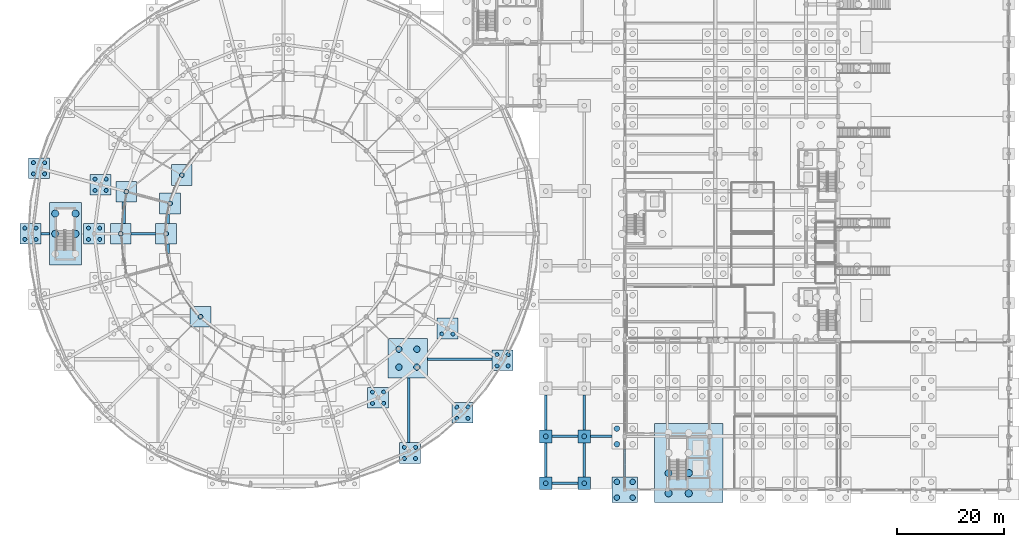
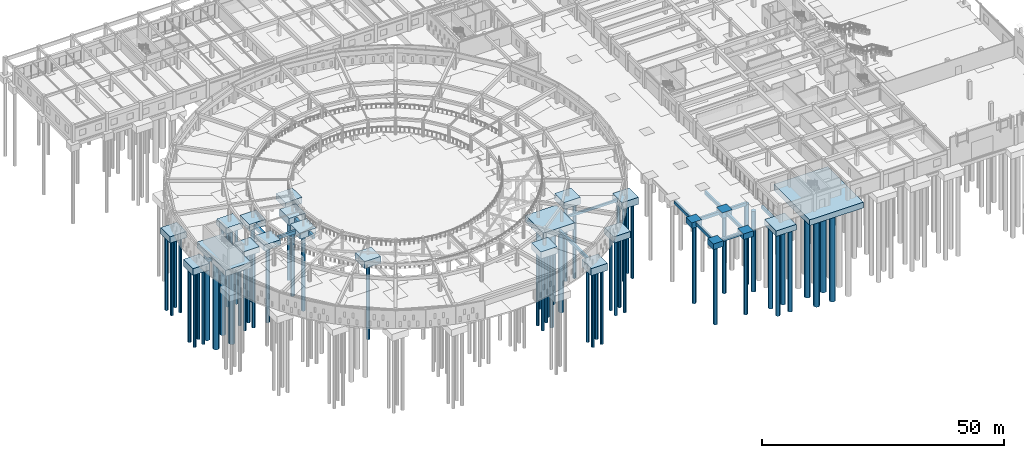
# One storey, part 2 of 84: 62 piles, 38 footings.
"""IFC4 building model written with IfcOpenShell, lengths in metres."""

import ifcopenshell
import ifcopenshell.guid

model = None  # the IFC model being written
_history = None  # IfcOwnerHistory: only IFC2X3 demands one
_inside = {}  # id of a spatial element -> (the spatial element, [elements in it])
_under = {}  # id of a project, library or spatial element -> (it, [spatial elements below it])
_declared = {}  # id of a project -> (the project, [libraries it declares])
_typed = {}  # id of a type object -> (the type object, [elements of that type])
_made_of = {}  # id of a material, layer set ... -> (it, [elements and type objects made of it])


def new_model(schema):
    """Start an empty IFC model of exactly this schema.

    Asked for "IFC4X3", IfcOpenShell would pick the latest addendum, in which some entities
    have other attributes; the version numbers below select the first issue.
    IFC2X3 requires an IfcOwnerHistory on every rooted entity: one is made here for all.
    """
    global model, _history
    if schema == "IFC4X3":
        model = ifcopenshell.file(schema_version=(4, 3, 0, 0))
    else:
        model = ifcopenshell.file(schema=schema)
    _inside.clear()
    _under.clear()
    _declared.clear()
    _typed.clear()
    _made_of.clear()
    _history = None
    if model.schema == "IFC2X3":
        org = make("IfcOrganization", Name="unknown")
        user = make(
            "IfcPersonAndOrganization",
            ThePerson=make("IfcPerson", FamilyName="unknown"),
            TheOrganization=org,
        )
        app = make(
            "IfcApplication",
            ApplicationDeveloper=org,
            Version="unknown",
            ApplicationFullName="unknown",
            ApplicationIdentifier="unknown",
        )
        _history = make(
            "IfcOwnerHistory",
            OwningUser=user,
            OwningApplication=app,
            ChangeAction="ADDED",
            CreationDate=0,
        )
    return model


def make(cls, **values):
    """One entity of the class cls with the attributes given. An attribute that is None is left unset."""
    return model.create_entity(
        cls, **{name: value for name, value in values.items() if value is not None}
    )


def rooted(cls, **values):
    """An entity with a GlobalId (a new one), such as an element, a storey or a relation."""
    return make(cls, GlobalId=ifcopenshell.guid.new(), OwnerHistory=_history, **values)


def si_unit(unit_type, name, prefix=None):
    """IfcSIUnit, for example si_unit("LENGTHUNIT", "METRE", prefix="MILLI")."""
    return make("IfcSIUnit", UnitType=unit_type, Prefix=prefix, Name=name)


def assignment(units):
    """IfcUnitAssignment: the units of a project."""
    return None if units is None else make("IfcUnitAssignment", Units=units)


def point(xyz):
    """IfcCartesianPoint."""
    return None if xyz is None else make("IfcCartesianPoint", Coordinates=xyz)


def direction(xyz):
    """IfcDirection."""
    return None if xyz is None else make("IfcDirection", DirectionRatios=xyz)


def frame(location, z_axis=None, x_axis=None):
    """IfcAxis2Placement3D, a coordinate frame: its origin and axes. An axis left out is left unset."""
    return make(
        "IfcAxis2Placement3D",
        Location=point(location),
        Axis=direction(z_axis),
        RefDirection=direction(x_axis),
    )


def frame_2d(location, x_axis=None):
    """IfcAxis2Placement2D, a coordinate frame in the plane: its origin and x axis."""
    return make(
        "IfcAxis2Placement2D", Location=point(location), RefDirection=direction(x_axis)
    )


def origin():
    """The frame at (0, 0, 0) with its axes left unset."""
    return frame((0.0, 0.0, 0.0))


def origin_2d():
    """The frame at (0, 0) in the plane with its x axis left unset."""
    return frame_2d((0.0, 0.0))


def place(relative_to, where):
    """IfcLocalPlacement: puts the frame where relative to a parent placement (None: the world)."""
    return make(
        "IfcLocalPlacement", PlacementRelTo=relative_to, RelativePlacement=where
    )


def context(
    kind, dimensions, precision=None, world=None, true_north=None, identifier=None
):
    """IfcGeometricRepresentationContext, for example the 3D "Model" context."""
    return make(
        "IfcGeometricRepresentationContext",
        ContextIdentifier=identifier,
        ContextType=kind,
        CoordinateSpaceDimension=dimensions,
        Precision=precision,
        WorldCoordinateSystem=world,
        TrueNorth=true_north,
    )


def subcontext(parent, identifier, kind, view, scale=None):
    """IfcGeometricRepresentationSubContext, for example "Body" below "Model"."""
    return make(
        "IfcGeometricRepresentationSubContext",
        ContextIdentifier=identifier,
        ContextType=kind,
        ParentContext=parent,
        TargetScale=scale,
        TargetView=view,
    )


def project(units=None, contexts=None):
    """IfcProject with its units and contexts."""
    return rooted(
        "IfcProject",
        Name="project",
        RepresentationContexts=contexts,
        UnitsInContext=assignment(units),
    )


def spatial(cls, under=None, at=None, **own):
    """A site, building, storey or space (cls), placed at a placement, below another one or the project."""
    s = rooted(cls, ObjectPlacement=at, **own)
    if under is not None:
        _under.setdefault(under.id(), (under, []))[1].append(s)
    return s


def profile(cls, at=None, kind="AREA", **sizes):
    """A parametric profile (cls). Its sizes go by their IFC names, for example OverallWidth=200.0."""
    return make(cls, ProfileType=kind, Position=at, **sizes)


def rectangle(**sizes):
    """IfcRectangleProfileDef."""
    return profile("IfcRectangleProfileDef", **sizes)


def circle(**sizes):
    """IfcCircleProfileDef."""
    return profile("IfcCircleProfileDef", **sizes)


def extrude(swept, where, along, depth):
    """IfcExtrudedAreaSolid: the profile swept, set in the frame where, extruded along a direction by depth."""
    return make(
        "IfcExtrudedAreaSolid",
        SweptArea=swept,
        Position=where,
        ExtrudedDirection=direction(along),
        Depth=depth,
    )


def shape(context_of_items, identifier, shape_type, items):
    """IfcShapeRepresentation: the items that make up one representation, for example the "Body"."""
    return make(
        "IfcShapeRepresentation",
        ContextOfItems=context_of_items,
        RepresentationIdentifier=identifier,
        RepresentationType=shape_type,
        Items=items,
    )


def material(Name=None, Category=None):
    """IfcMaterial."""
    return make("IfcMaterial", Name=Name, Category=Category)


def material_profile(
    of_material, cross_section, Name=None, Category=None, Priority=None
):
    """IfcMaterialProfile: a cross section and its material."""
    return make(
        "IfcMaterialProfile",
        Name=Name,
        Material=of_material,
        Profile=cross_section,
        Priority=Priority,
        Category=Category,
    )


def profile_set(profiles, Name=None, composite=None):
    """IfcMaterialProfileSet."""
    return make(
        "IfcMaterialProfileSet",
        Name=Name,
        MaterialProfiles=profiles,
        CompositeProfile=composite,
    )


def made_of(thing, what):
    """Note that an element or type object is made of a material, layer set ...; save() writes the relation."""
    if what is not None:
        _made_of.setdefault(what.id(), (what, []))[1].append(thing)
    return thing


def type_object(cls, material=None, **own):
    """A type object (cls), such as IfcWallType, which elements share."""
    return made_of(rooted(cls, **own), material)


def element(
    cls,
    number,
    at=None,
    inside=None,
    cuts=None,
    type_object=None,
    material=None,
    context=None,
    identifier="Body",
    shape_type=None,
    held_by="IfcProductDefinitionShape",
    body=None,
    shapes=None,
    **own,
):
    """One element of the class cls, such as IfcWall. Its Tag is "e" and its number.

    at: its placement. inside: the storey or other place that contains it. cuts: it is an
    opening in that element (IfcRelVoidsElement). A single representation is given by context,
    identifier, shape_type and body (its items); several are given by shapes. held_by: the class
    of the entity that holds the representations. save() writes the other relations.
    """
    e = rooted(cls, Tag="e%d" % number, ObjectPlacement=at, **own)
    if body is not None:
        shapes = [shape(context, identifier, shape_type, body)]
    if shapes is not None:
        e.Representation = make(held_by, Representations=shapes)
    if inside is not None:
        _inside.setdefault(inside.id(), (inside, []))[1].append(e)
    if cuts is not None:
        rooted(
            "IfcRelVoidsElement", RelatingBuildingElement=cuts, RelatedOpeningElement=e
        )
    if type_object is not None:
        _typed.setdefault(type_object.id(), (type_object, []))[1].append(e)
    return made_of(e, material)


def aggregate(whole, parts):
    """IfcRelAggregates: a whole, such as a stair, and the parts it consists of."""
    return rooted("IfcRelAggregates", RelatingObject=whole, RelatedObjects=parts)


def save(model, path):
    """Write the relations noted so far, then the file.

    IfcRelAggregates (storeys below a building ...), IfcRelContainedInSpatialStructure (elements
    in a storey), IfcRelDefinesByType, IfcRelAssociatesMaterial and IfcRelDeclares: one each for
    every whole, place, type object, material and project.
    """
    for whole, parts in _under.values():
        aggregate(whole, parts)
    for where, things in _inside.values():
        rooted(
            "IfcRelContainedInSpatialStructure",
            RelatedElements=things,
            RelatingStructure=where,
        )
    for kind, things in _typed.values():
        rooted("IfcRelDefinesByType", RelatedObjects=things, RelatingType=kind)
    for what, things in _made_of.values():
        rooted("IfcRelAssociatesMaterial", RelatedObjects=things, RelatingMaterial=what)
    for by, libraries in _declared.values():
        rooted("IfcRelDeclares", RelatingContext=by, RelatedDefinitions=libraries)
    model.write(path)


model = new_model("IFC4")

# Units and contexts
model_context = context("Model", 3, precision=1e-05, world=origin(), true_north=direction((0.0, 1.0)))
body_context = subcontext(model_context, "Body", "Model", "MODEL_VIEW")
ifc_project = project(units=[si_unit("LENGTHUNIT", "METRE"), si_unit("AREAUNIT", "SQUARE_METRE"), si_unit("VOLUMEUNIT", "CUBIC_METRE"), si_unit("PLANEANGLEUNIT", "RADIAN"), si_unit("MASSUNIT", "GRAM", prefix="KILO")], contexts=[model_context])

# Site, building, storey
site_placement = place(None, origin())
site = spatial("IfcSite", under=ifc_project, at=site_placement, CompositionType="ELEMENT")
building_placement = place(site_placement, origin())
building = spatial("IfcBuilding", under=site, at=building_placement, Name="Larkveld Mobility Hub", CompositionType="ELEMENT")
storey_placement = place(building_placement, origin())
storey = spatial("IfcBuildingStorey", under=building, at=storey_placement, Name="L00", CompositionType="ELEMENT", Elevation=0.0)

# Footings
ifc_material = material(Name="Concrete C35/45", Category="concrete")
ifc_material_profile_1 = material_profile(ifc_material, rectangle(XDim=0.39990234375, YDim=0.60009765625, at=origin_2d()), Name="RC BM 400x600")
ifc_profile_set_1 = profile_set([ifc_material_profile_1], Name="Concrete C35/45")
footing_type_1 = type_object("IfcFootingType", Name="FT-FB01", PredefinedType="FOOTING_BEAM", material=ifc_profile_set_1)
footing_1_placement = place(storey_placement, frame((75.052001953125, 24.470947265625, -0.64990234375), z_axis=(1.0, 0.0, 0.0), x_axis=(0.0, 1.0, 0.0)))
element("IfcFooting", 1, at=footing_1_placement, inside=storey, type_object=footing_type_1, Name="Ground Tie Beam GB-019", PredefinedType="FOOTING_BEAM", context=body_context, shape_type="SweptSolid", body=[
    extrude(rectangle(XDim=0.39990234375, YDim=0.60009765625, at=origin_2d()), origin(), (0.0, 0.0, 1.0), 12.091064453125),
])
ifc_material_profile_2 = material_profile(ifc_material, rectangle(XDim=0.449951171875, YDim=0.699951171875, at=origin_2d()), Name="RC BM 450x700")
ifc_profile_set_2 = profile_set([ifc_material_profile_2], Name="Concrete C35/45")
footing_type_2 = type_object("IfcFootingType", Name="FT-FB02", PredefinedType="FOOTING_BEAM", material=ifc_profile_set_2)
footing_2_placement = place(storey_placement, frame((2.5, 48.0, -0.699951171875), z_axis=(1.0, 0.0, 0.0), x_axis=(0.0, 1.0, 0.0)))
element("IfcFooting", 2, at=footing_2_placement, inside=storey, type_object=footing_type_2, Name="Ground Tie Beam GB-032", PredefinedType="FOOTING_BEAM", context=body_context, shape_type="SweptSolid", body=[
    extrude(rectangle(XDim=0.449951171875, YDim=0.699951171875, at=origin_2d()), origin(), (0.0, 0.0, 1.0), 1.60009765625),
])
footing_3_placement = place(storey_placement, frame((71.529052734375, 8.85693359375, -0.699951171875), z_axis=(0.0, 1.0, 0.0), x_axis=(-1.0, 0.0, 0.0)))
element("IfcFooting", 3, at=footing_3_placement, inside=storey, type_object=footing_type_2, Name="Ground Tie Beam GB-128", PredefinedType="FOOTING_BEAM", context=body_context, shape_type="SweptSolid", body=[
    extrude(rectangle(XDim=0.449951171875, YDim=0.699951171875, at=origin_2d()), origin(), (0.0, 0.0, 1.0), 12.091064453125),
])
footing_4_placement = place(storey_placement, frame((112.0, 2.39990234375, -0.699951171875), z_axis=(0.0, 1.0, 0.0), x_axis=(-1.0, 0.0, 0.0)))
element("IfcFooting", 4, at=footing_4_placement, inside=storey, type_object=footing_type_2, Name="Ground Tie Beam GB-140", PredefinedType="FOOTING_BEAM", context=body_context, shape_type="SweptSolid", body=[
    extrude(rectangle(XDim=0.449951171875, YDim=0.699951171875, at=origin_2d()), origin(), (0.0, 0.0, 1.0), 5.2001953125),
])
ifc_material_profile_3 = material_profile(ifc_material, rectangle(XDim=0.5, YDim=0.800048828125, at=origin_2d()), Name="RC BM 500x800")
ifc_profile_set_3 = profile_set([ifc_material_profile_3], Name="Concrete C35/45")
footing_type_3 = type_object("IfcFootingType", Name="FT-FB03", PredefinedType="FOOTING_BEAM", material=ifc_profile_set_3)
footing_5_placement = place(storey_placement, frame((19.449951171875, 48.0, -0.75), z_axis=(1.0, 0.0, 0.0), x_axis=(0.0, 1.0, 0.0)))
element("IfcFooting", 5, at=footing_5_placement, inside=storey, type_object=footing_type_3, Name="Ground Tie Beam GB-033", PredefinedType="FOOTING_BEAM", context=body_context, shape_type="SweptSolid", body=[
    extrude(rectangle(XDim=0.5, YDim=0.800048828125, at=origin_2d()), origin(), (0.0, 0.0, 1.0), 4.60009765625),
])
for number, where, z_axis, x_axis, name in (
    (6, (98.39990234375, 1.199951171875, -0.580078125), (1.0, 0.0, 0.0), (0.0, 1.0, 0.0), "Passage Ground Tie Beam PGB-001"),
    (7, (98.39990234375, 10.0, -0.580078125), (1.0, 0.0, 0.0), (0.0, 1.0, 0.0), "Passage Ground Tie Beam PGB-002"),
):
    element("IfcFooting", number, at=place(storey_placement, frame(where, z_axis=z_axis, x_axis=x_axis)), inside=storey, type_object=footing_type_3, Name=name, PredefinedType="FOOTING_BEAM", context=body_context, shape_type="SweptSolid", body=[
        extrude(rectangle(XDim=0.5, YDim=0.800048828125, at=origin_2d()), origin(), (0.0, 0.0, 1.0), 4.800048828125),
    ])
footing_6_placement = place(storey_placement, frame((105.60009765625, 10.0, -0.580078125), z_axis=(1.0, 0.0, 0.0), x_axis=(0.0, 1.0, 0.0)))
element("IfcFooting", 8, at=footing_6_placement, inside=storey, type_object=footing_type_3, Name="Passage Ground Tie Beam PGB-003", PredefinedType="FOOTING_BEAM", context=body_context, shape_type="SweptSolid", body=[
    extrude(rectangle(XDim=0.5, YDim=0.800048828125, at=origin_2d()), origin(), (0.0, 0.0, 1.0), 4.0),
])
footing_7_placement = place(storey_placement, frame((97.199951171875, 2.39990234375, -0.580078125), z_axis=(0.0, 1.0, 0.0), x_axis=(-1.0, 0.0, 0.0)))
element("IfcFooting", 9, at=footing_7_placement, inside=storey, type_object=footing_type_3, Name="Passage Ground Tie Beam PGB-020", PredefinedType="FOOTING_BEAM", context=body_context, shape_type="SweptSolid", body=[
    extrude(rectangle(XDim=0.5, YDim=0.800048828125, at=origin_2d()), origin(), (0.0, 0.0, 1.0), 6.400146484375),
])
footing_8_placement = place(storey_placement, frame((97.199951171875, 11.199951171875, -0.580078125), z_axis=(0.0, 1.0, 0.0), x_axis=(-1.0, 0.0, 0.0)))
element("IfcFooting", 10, at=footing_8_placement, inside=storey, type_object=footing_type_3, Name="Passage Ground Tie Beam PGB-021", PredefinedType="FOOTING_BEAM", context=body_context, shape_type="SweptSolid", body=[
    extrude(rectangle(XDim=0.5, YDim=0.800048828125, at=origin_2d()), origin(), (0.0, 0.0, 1.0), 6.60009765625),
])
footing_9_placement = place(storey_placement, frame((104.39990234375, 2.39990234375, -0.580078125), z_axis=(0.0, 1.0, 0.0), x_axis=(-1.0, 0.0, 0.0)))
element("IfcFooting", 11, at=footing_9_placement, inside=storey, type_object=footing_type_3, Name="Passage Ground Tie Beam PGB-023", PredefinedType="FOOTING_BEAM", context=body_context, shape_type="SweptSolid", body=[
    extrude(rectangle(XDim=0.5, YDim=0.800048828125, at=origin_2d()), origin(), (0.0, 0.0, 1.0), 6.400146484375),
])
footing_10_placement = place(storey_placement, frame((104.39990234375, 11.199951171875, -0.580078125), z_axis=(0.0, 1.0, 0.0), x_axis=(-1.0, 0.0, 0.0)))
element("IfcFooting", 12, at=footing_10_placement, inside=storey, type_object=footing_type_3, Name="Passage Ground Tie Beam PGB-024", PredefinedType="FOOTING_BEAM", context=body_context, shape_type="SweptSolid", body=[
    extrude(rectangle(XDim=0.5, YDim=0.800048828125, at=origin_2d()), origin(), (0.0, 0.0, 1.0), 6.60009765625),
])
ifc_material_profile_4 = material_profile(ifc_material, rectangle(XDim=0.550048828125, YDim=0.85009765625, at=origin_2d()), Name="RC BM 550x850")
ifc_profile_set_4 = profile_set([ifc_material_profile_4], Name="Concrete C35/45")
footing_type_4 = type_object("IfcFootingType", Name="FT-FB04", PredefinedType="FOOTING_BEAM", material=ifc_profile_set_4)
footing_11_placement = place(storey_placement, frame((26.375, 44.256103515625, -0.77490234375), z_axis=(0.0, 1.0, 0.0), x_axis=(-1.0, 0.0, 0.0)))
element("IfcFooting", 13, at=footing_11_placement, inside=storey, type_object=footing_type_4, Name="Ground Tie Beam GB-112", PredefinedType="FOOTING_BEAM", context=body_context, shape_type="SweptSolid", body=[
    extrude(rectangle(XDim=0.550048828125, YDim=0.85009765625, at=origin_2d()), origin(), (0.0, 0.0, 1.0), 1.7939453125),
])
ifc_material_profile_5 = material_profile(ifc_material, rectangle(XDim=0.60009765625, YDim=0.89990234375, at=origin_2d()), Name="RC BM 600x900")
ifc_profile_set_5 = profile_set([ifc_material_profile_5], Name="Concrete C35/45")
footing_type_5 = type_object("IfcFootingType", Name="FT-FB05", PredefinedType="FOOTING_BEAM", material=ifc_profile_set_5)
footing_12_placement = place(storey_placement, frame((26.375, 49.949951171875, -0.800048828125), z_axis=(0.0, 1.0, 0.0), x_axis=(-1.0, 0.0, 0.0)))
element("IfcFooting", 14, at=footing_12_placement, inside=storey, type_object=footing_type_5, Name="Ground Tie Beam GB-113", PredefinedType="FOOTING_BEAM", context=body_context, shape_type="SweptSolid", body=[
    extrude(rectangle(XDim=0.60009765625, YDim=0.89990234375, at=origin_2d()), origin(), (0.0, 0.0, 1.0), 1.7939453125),
])
ifc_material_profile_6 = material_profile(ifc_material, rectangle(XDim=0.64990234375, YDim=1.0, at=origin_2d()), Name="RC BM 650x1000")
ifc_profile_set_6 = profile_set([ifc_material_profile_6], Name="Concrete C35/45")
footing_type_6 = type_object("IfcFootingType", Name="FT-FB06", PredefinedType="FOOTING_BEAM", material=ifc_profile_set_6)
footing_13_placement = place(storey_placement, frame((18.02001953125, 49.949951171875, -0.85009765625), z_axis=(0.0, 1.0, 0.0), x_axis=(-1.0, 0.0, 0.0)))
element("IfcFooting", 15, at=footing_13_placement, inside=storey, type_object=footing_type_6, Name="Ground Tie Beam GB-108", PredefinedType="FOOTING_BEAM", context=body_context, shape_type="SweptSolid", body=[
    extrude(rectangle(XDim=0.64990234375, YDim=1.0, at=origin_2d()), origin(), (0.0, 0.0, 1.0), 3.994140625),
])
footing_type_7 = type_object("IfcFootingType", Name="FT-PC01", PredefinedType="PILE_CAP", material=ifc_material)
footing_14_placement = place(storey_placement, frame((112.0, 0.0, -1.39990234375), z_axis=(0.0, 0.0, 1.0), x_axis=(1.0, 0.0, 0.0)))
element("IfcFooting", 16, at=footing_14_placement, inside=storey, type_object=footing_type_7, Name="Pile Cap PC-001", PredefinedType="PILE_CAP", context=body_context, shape_type="SweptSolid", body=[
    extrude(rectangle(XDim=4.800048828125, YDim=4.800048828125, at=origin_2d()), origin(), (0.0, 0.0, 1.0), 1.39990234375),
])
footing_15_placement = place(storey_placement, frame((12.5, 48.0, -1.39990234375), z_axis=(0.0, 0.0, 1.0), x_axis=(1.0, 0.0, 0.0)))
element("IfcFooting", 17, at=footing_15_placement, inside=storey, type_object=footing_type_7, Name="Pile Cap PC-081", PredefinedType="PILE_CAP", context=body_context, shape_type="SweptSolid", body=[
    extrude(rectangle(XDim=3.89990234375, YDim=3.89990234375, at=origin_2d()), origin(), (0.0, 0.0, 1.0), 1.39990234375),
])
footing_type_8 = type_object("IfcFootingType", Name="FT-PC02", PredefinedType="PILE_CAP", material=ifc_material)
footing_16_placement = place(storey_placement, frame((124.0, 5.0, -1.4501953125), z_axis=(0.0, 0.0, 1.0), x_axis=(1.0, 0.0, 0.0)))
element("IfcFooting", 18, at=footing_16_placement, inside=storey, type_object=footing_type_8, Name="Pile Cap PC-002", PredefinedType="PILE_CAP", context=body_context, shape_type="SweptSolid", body=[
    extrude(rectangle(XDim=12.800048828125, YDim=14.800048828125, at=origin_2d()), origin(), (0.0, 0.0, 1.0), 1.449951171875),
])
for number, where, z_axis, x_axis, name in (
    (19, (17.5, 48.0, -1.4501953125), (0.0, 0.0, 1.0), (1.0, 0.0, 0.0), "Pile Cap PC-082"),
    (20, (13.7099609375, 57.18798828125, -1.4501953125), (0.0, 0.0, 1.0), (1.0, 0.0, 0.0), "Pile Cap PC-098"),
):
    element("IfcFooting", number, at=place(storey_placement, frame(where, z_axis=z_axis, x_axis=x_axis)), inside=storey, type_object=footing_type_8, Name=name, PredefinedType="PILE_CAP", context=body_context, shape_type="SweptSolid", body=[
        extrude(rectangle(XDim=3.89990234375, YDim=3.89990234375, at=origin_2d()), origin(), (0.0, 0.0, 1.0), 1.449951171875),
    ])
footing_type_9 = type_object("IfcFootingType", Name="FT-PC03", PredefinedType="PILE_CAP", material=ifc_material)
footing_17_placement = place(storey_placement, frame((26.0, 48.0, -1.5), z_axis=(0.0, 0.0, 1.0), x_axis=(1.0, 0.0, 0.0)))
element("IfcFooting", 21, at=footing_17_placement, inside=storey, type_object=footing_type_9, Name="Pile Cap PC-083", PredefinedType="PILE_CAP", context=body_context, shape_type="SweptSolid", body=[
    extrude(rectangle(XDim=3.89990234375, YDim=3.89990234375, at=origin_2d()), origin(), (0.0, 0.0, 1.0), 1.5),
])
footing_type_10 = type_object("IfcFootingType", Name="FT-PC04", PredefinedType="PILE_CAP", material=ifc_material)
footing_18_placement = place(storey_placement, frame((28.947021484375, 59.0, -1.5498046875), z_axis=(0.0, 0.0, 1.0), x_axis=(1.0, 0.0, 0.0)))
element("IfcFooting", 22, at=footing_18_placement, inside=storey, type_object=footing_type_10, Name="Pile Cap PC-100", PredefinedType="PILE_CAP", context=body_context, shape_type="SweptSolid", body=[
    extrude(rectangle(XDim=3.89990234375, YDim=3.89990234375, at=origin_2d()), origin(), (0.0, 0.0, 1.0), 1.550048828125),
])
footing_type_11 = type_object("IfcFootingType", Name="FT-PC06", PredefinedType="PILE_CAP", material=ifc_material)
for number, where, z_axis, x_axis, name in (
    (23, (81.552001953125, 14.447998046875, -1.60009765625), (0.0, 0.0, 1.0), (1.0, 0.0, 0.0), "Pile Cap PC-022"),
    (24, (2.1669921875, 60.281005859375, -1.60009765625), (0.0, 0.0, 1.0), (1.0, 0.0, 0.0), "Pile Cap PC-102"),
):
    element("IfcFooting", number, at=place(storey_placement, frame(where, z_axis=z_axis, x_axis=x_axis)), inside=storey, type_object=footing_type_11, Name=name, PredefinedType="PILE_CAP", context=body_context, shape_type="SweptSolid", body=[
        extrude(rectangle(XDim=3.89990234375, YDim=3.89990234375, at=origin_2d()), origin(), (0.0, 0.0, 1.0), 1.60009765625),
    ])
footing_type_12 = type_object("IfcFootingType", Name="FT-PC07", PredefinedType="PILE_CAP", material=ifc_material)
footing_19_placement = place(storey_placement, frame((71.333984375, 24.666015625, -1.64990234375), z_axis=(0.0, 0.0, 1.0), x_axis=(1.0, 0.0, 0.0)))
element("IfcFooting", 25, at=footing_19_placement, inside=storey, type_object=footing_type_12, Name="Pile Cap PC-039", PredefinedType="PILE_CAP", context=body_context, shape_type="SweptSolid", body=[
    extrude(rectangle(XDim=7.43505859375, YDim=7.43505859375, at=origin_2d()), origin(), (0.0, 0.0, 1.0), 1.64990234375),
])
footing_type_13 = type_object("IfcFootingType", Name="FT-PC08", PredefinedType="PILE_CAP", material=ifc_material)
for number, where, z_axis, x_axis, name in (
    (26, (65.75, 17.256103515625, -1.7001953125), (0.0, 0.0, 1.0), (1.0, 0.0, 0.0), "Pile Cap PC-024"),
    (27, (78.743896484375, 30.25, -1.7001953125), (0.0, 0.0, 1.0), (1.0, 0.0, 0.0), "Pile Cap PC-056"),
):
    element("IfcFooting", number, at=place(storey_placement, frame(where, z_axis=z_axis, x_axis=x_axis)), inside=storey, type_object=footing_type_13, Name=name, PredefinedType="PILE_CAP", context=body_context, shape_type="SweptSolid", body=[
        extrude(rectangle(XDim=3.89990234375, YDim=3.89990234375, at=origin_2d()), origin(), (0.0, 0.0, 1.0), 1.699951171875),
    ])
footing_type_14 = type_object("IfcFootingType", Name="FT-PC09", PredefinedType="PILE_CAP", material=ifc_material)
for number, where, z_axis, x_axis, name in (
    (28, (89.093017578125, 24.27490234375, -1.75), (0.0, 0.0, 1.0), (1.0, 0.0, 0.0), "Pile Cap PC-041"),
    (29, (32.444091796875, 32.444091796875, -1.75), (0.0, 0.0, 1.0), (1.0, 0.0, 0.0), "Pile Cap PC-057"),
):
    element("IfcFooting", number, at=place(storey_placement, frame(where, z_axis=z_axis, x_axis=x_axis)), inside=storey, type_object=footing_type_14, Name=name, PredefinedType="PILE_CAP", context=body_context, shape_type="SweptSolid", body=[
        extrude(rectangle(XDim=3.89990234375, YDim=3.89990234375, at=origin_2d()), origin(), (0.0, 0.0, 1.0), 1.75),
    ])
footing_type_15 = type_object("IfcFootingType", Name="FT-PC11", PredefinedType="PILE_CAP", material=ifc_material)
for number, where, z_axis, x_axis, name in (
    (30, (71.72509765625, 6.906982421875, -1.7998046875), (0.0, 0.0, 1.0), (1.0, 0.0, 0.0), "Pile Cap PC-011"),
    (31, (26.75, 53.694091796875, -1.7998046875), (0.0, 0.0, 1.0), (1.0, 0.0, 0.0), "Pile Cap PC-091"),
):
    element("IfcFooting", number, at=place(storey_placement, frame(where, z_axis=z_axis, x_axis=x_axis)), inside=storey, type_object=footing_type_15, Name=name, PredefinedType="PILE_CAP", context=body_context, shape_type="SweptSolid", body=[
        extrude(rectangle(XDim=3.89990234375, YDim=3.89990234375, at=origin_2d()), origin(), (0.0, 0.0, 1.0), 1.800048828125),
    ])
footing_type_16 = type_object("IfcFootingType", Name="FT-PC13", PredefinedType="PILE_CAP", material=ifc_material)
for number, where, z_axis, x_axis, name in (
    (32, (97.199951171875, 1.199951171875, -1.419921875), (0.0, 0.0, 1.0), (1.0, 0.0, 0.0), "Plinth Pile Cap PC-DL06"),
    (33, (104.39990234375, 1.199951171875, -1.419921875), (0.0, 0.0, 1.0), (1.0, 0.0, 0.0), "Plinth Pile Cap PC-DL07"),
    (34, (97.199951171875, 10.0, -1.419921875), (0.0, 0.0, 1.0), (1.0, 0.0, 0.0), "Plinth Pile Cap PC-DL08"),
    (35, (104.39990234375, 10.0, -1.419921875), (0.0, 0.0, 1.0), (1.0, 0.0, 0.0), "Plinth Pile Cap PC-DL09"),
):
    element("IfcFooting", number, at=place(storey_placement, frame(where, z_axis=z_axis, x_axis=x_axis)), inside=storey, type_object=footing_type_16, Name=name, PredefinedType="PILE_CAP", context=body_context, shape_type="SweptSolid", body=[
        extrude(rectangle(XDim=2.39990234375, YDim=2.39990234375, at=origin_2d()), origin(), (0.0, 0.0, 1.0), 1.419921875),
    ])
footing_type_17 = type_object("IfcFootingType", Name="FT-PC14", PredefinedType="PILE_CAP", material=ifc_material)
footing_20_placement = place(storey_placement, frame((7.10009765625, 48.0, -1.47998046875), z_axis=(0.0, 0.0, 1.0), x_axis=(1.0, 0.0, 0.0)))
element("IfcFooting", 36, at=footing_20_placement, inside=storey, type_object=footing_type_17, Name="Pile Cap PC-078", PredefinedType="PILE_CAP", context=body_context, shape_type="SweptSolid", body=[
    extrude(rectangle(XDim=6.0, YDim=11.800048828125, at=origin_2d()), origin(), (0.0, 0.0, 1.0), 1.47998046875),
])
footing_type_18 = type_object("IfcFootingType", Name="FT-PC15", PredefinedType="PILE_CAP", material=ifc_material)
footing_21_placement = place(storey_placement, frame((18.5390625, 55.89404296875, -1.6201171875), z_axis=(0.0, 0.0, 1.0), x_axis=(1.0, 0.0, 0.0)))
element("IfcFooting", 37, at=footing_21_placement, inside=storey, type_object=footing_type_18, Name="Pile Cap PC-095", PredefinedType="PILE_CAP", context=body_context, shape_type="SweptSolid", body=[
    extrude(rectangle(XDim=3.89990234375, YDim=3.89990234375, at=origin_2d()), origin(), (0.0, 0.0, 1.0), 1.6201171875),
])
footing_type_19 = type_object("IfcFootingType", Name="FT-PC16", PredefinedType="PILE_CAP", material=ifc_material)
footing_22_placement = place(storey_placement, frame((0.550048828125, 48.0, -1.72021484375), z_axis=(0.0, 0.0, 1.0), x_axis=(1.0, 0.0, 0.0)))
element("IfcFooting", 38, at=footing_22_placement, inside=storey, type_object=footing_type_19, Name="Pile Cap PC-080", PredefinedType="PILE_CAP", context=body_context, shape_type="SweptSolid", body=[
    extrude(rectangle(XDim=3.89990234375, YDim=3.89990234375, at=origin_2d()), origin(), (0.0, 0.0, 1.0), 1.719970703125),
])

# Piles
ifc_material_profile_7 = material_profile(ifc_material, circle(Radius=0.375, at=origin_2d()), Name="PILE D750")
ifc_profile_set_7 = profile_set([ifc_material_profile_7], Name="Concrete C35/45")
pile_type_1 = type_object("IfcPileType", Name="PL-B0750", PredefinedType="BORED", material=ifc_profile_set_7)
for number, where, z_axis, x_axis, name in (
    (39, (70.675048828125, 5.85693359375, -1.699951171875), (0.0, 0.0, -1.0), (1.0, 0.0, 0.0), "Bored Pile P-0046"),
    (40, (70.675048828125, 7.95703125, -1.699951171875), (0.0, 0.0, -1.0), (1.0, 0.0, 0.0), "Bored Pile P-0047"),
    (41, (72.77490234375, 5.85693359375, -1.699951171875), (0.0, 0.0, -1.0), (1.0, 0.0, 0.0), "Bored Pile P-0048"),
    (42, (72.77490234375, 7.95703125, -1.699951171875), (0.0, 0.0, -1.0), (1.0, 0.0, 0.0), "Bored Pile P-0049"),
):
    element("IfcPile", number, at=place(storey_placement, frame(where, z_axis=z_axis, x_axis=x_axis)), inside=storey, type_object=pile_type_1, Name=name, PredefinedType="BORED", context=body_context, shape_type="SweptSolid", body=[
        extrude(circle(Radius=0.375, at=origin_2d()), origin(), (0.0, 0.0, 1.0), 18.800048828125),
    ])
for number, where, z_axis, x_axis, name in (
    (43, (80.501953125, 13.39794921875, -1.5), (0.0, 0.0, -1.0), (1.0, 0.0, 0.0), "Bored Pile P-0087"),
    (44, (80.501953125, 15.498046875, -1.5), (0.0, 0.0, -1.0), (1.0, 0.0, 0.0), "Bored Pile P-0088"),
    (45, (82.60205078125, 13.39794921875, -1.5), (0.0, 0.0, -1.0), (1.0, 0.0, 0.0), "Bored Pile P-0089"),
    (46, (82.60205078125, 15.498046875, -1.5), (0.0, 0.0, -1.0), (1.0, 0.0, 0.0), "Bored Pile P-0090"),
):
    element("IfcPile", number, at=place(storey_placement, frame(where, z_axis=z_axis, x_axis=x_axis)), inside=storey, type_object=pile_type_1, Name=name, PredefinedType="BORED", context=body_context, shape_type="SweptSolid", body=[
        extrude(circle(Radius=0.375, at=origin_2d()), origin(), (0.0, 0.0, 1.0), 19.0),
    ])
for number, where, z_axis, x_axis, name in (
    (47, (64.699951171875, 16.2060546875, -1.60009765625), (0.0, 0.0, -1.0), (1.0, 0.0, 0.0), "Bored Pile P-0095"),
    (48, (64.699951171875, 18.305908203125, -1.60009765625), (0.0, 0.0, -1.0), (1.0, 0.0, 0.0), "Bored Pile P-0096"),
    (49, (66.800048828125, 16.2060546875, -1.60009765625), (0.0, 0.0, -1.0), (1.0, 0.0, 0.0), "Bored Pile P-0097"),
    (50, (66.800048828125, 18.305908203125, -1.60009765625), (0.0, 0.0, -1.0), (1.0, 0.0, 0.0), "Bored Pile P-0098"),
):
    element("IfcPile", number, at=place(storey_placement, frame(where, z_axis=z_axis, x_axis=x_axis)), inside=storey, type_object=pile_type_1, Name=name, PredefinedType="BORED", context=body_context, shape_type="SweptSolid", body=[
        extrude(circle(Radius=0.375, at=origin_2d()), origin(), (0.0, 0.0, 1.0), 18.89990234375),
    ])
for number, where, z_axis, x_axis, name in (
    (51, (88.04296875, 23.22509765625, -1.64990234375), (0.0, 0.0, -1.0), (1.0, 0.0, 0.0), "Bored Pile P-0145"),
    (52, (88.04296875, 25.324951171875, -1.64990234375), (0.0, 0.0, -1.0), (1.0, 0.0, 0.0), "Bored Pile P-0146"),
    (53, (90.14306640625, 23.22509765625, -1.64990234375), (0.0, 0.0, -1.0), (1.0, 0.0, 0.0), "Bored Pile P-0147"),
    (54, (90.14306640625, 25.324951171875, -1.64990234375), (0.0, 0.0, -1.0), (1.0, 0.0, 0.0), "Bored Pile P-0148"),
):
    element("IfcPile", number, at=place(storey_placement, frame(where, z_axis=z_axis, x_axis=x_axis)), inside=storey, type_object=pile_type_1, Name=name, PredefinedType="BORED", context=body_context, shape_type="SweptSolid", body=[
        extrude(circle(Radius=0.375, at=origin_2d()), origin(), (0.0, 0.0, 1.0), 18.85009765625),
    ])
for number, where, z_axis, x_axis, name in (
    (55, (77.694091796875, 29.199951171875, -1.60009765625), (0.0, 0.0, -1.0), (1.0, 0.0, 0.0), "Bored Pile P-0187"),
    (56, (79.7939453125, 29.199951171875, -1.60009765625), (0.0, 0.0, -1.0), (1.0, 0.0, 0.0), "Bored Pile P-0189"),
):
    element("IfcPile", number, at=place(storey_placement, frame(where, z_axis=z_axis, x_axis=x_axis)), inside=storey, type_object=pile_type_1, Name=name, PredefinedType="BORED", context=body_context, shape_type="SweptSolid", body=[
        extrude(circle(Radius=0.375, at=origin_2d()), origin(), (0.0, 0.0, 1.0), 18.89990234375),
    ])
for number, where, z_axis, x_axis, name in (
    (57, (-0.5, 46.949951171875, -1.6201171875), (0.0, 0.0, -1.0), (1.0, 0.0, 0.0), "Bored Pile P-0252"),
    (58, (-0.5, 49.050048828125, -1.6201171875), (0.0, 0.0, -1.0), (1.0, 0.0, 0.0), "Bored Pile P-0253"),
    (59, (1.60009765625, 46.949951171875, -1.6201171875), (0.0, 0.0, -1.0), (1.0, 0.0, 0.0), "Bored Pile P-0254"),
    (60, (1.60009765625, 49.050048828125, -1.6201171875), (0.0, 0.0, -1.0), (1.0, 0.0, 0.0), "Bored Pile P-0255"),
):
    element("IfcPile", number, at=place(storey_placement, frame(where, z_axis=z_axis, x_axis=x_axis)), inside=storey, type_object=pile_type_1, Name=name, PredefinedType="BORED", context=body_context, shape_type="SweptSolid", body=[
        extrude(circle(Radius=0.375, at=origin_2d()), origin(), (0.0, 0.0, 1.0), 18.8798828125),
    ])
for number, where, z_axis, x_axis, name in (
    (61, (11.449951171875, 46.949951171875, -1.300048828125), (0.0, 0.0, -1.0), (1.0, 0.0, 0.0), "Bored Pile P-0256"),
    (62, (11.449951171875, 49.050048828125, -1.300048828125), (0.0, 0.0, -1.0), (1.0, 0.0, 0.0), "Bored Pile P-0257"),
    (63, (13.550048828125, 46.949951171875, -1.300048828125), (0.0, 0.0, -1.0), (1.0, 0.0, 0.0), "Bored Pile P-0258"),
    (64, (13.550048828125, 49.050048828125, -1.300048828125), (0.0, 0.0, -1.0), (1.0, 0.0, 0.0), "Bored Pile P-0259"),
):
    element("IfcPile", number, at=place(storey_placement, frame(where, z_axis=z_axis, x_axis=x_axis)), inside=storey, type_object=pile_type_1, Name=name, PredefinedType="BORED", context=body_context, shape_type="SweptSolid", body=[
        extrude(circle(Radius=0.375, at=origin_2d()), origin(), (0.0, 0.0, 1.0), 19.199951171875),
    ])
for number, where, z_axis, x_axis, name in (
    (65, (12.659912109375, 56.137939453125, -1.35009765625), (0.0, 0.0, -1.0), (1.0, 0.0, 0.0), "Bored Pile P-0298"),
    (66, (12.659912109375, 58.238037109375, -1.35009765625), (0.0, 0.0, -1.0), (1.0, 0.0, 0.0), "Bored Pile P-0299"),
    (67, (14.760009765625, 56.137939453125, -1.35009765625), (0.0, 0.0, -1.0), (1.0, 0.0, 0.0), "Bored Pile P-0300"),
    (68, (14.760009765625, 58.238037109375, -1.35009765625), (0.0, 0.0, -1.0), (1.0, 0.0, 0.0), "Bored Pile P-0301"),
):
    element("IfcPile", number, at=place(storey_placement, frame(where, z_axis=z_axis, x_axis=x_axis)), inside=storey, type_object=pile_type_1, Name=name, PredefinedType="BORED", context=body_context, shape_type="SweptSolid", body=[
        extrude(circle(Radius=0.375, at=origin_2d()), origin(), (0.0, 0.0, 1.0), 19.14990234375),
    ])
for number, where, z_axis, x_axis, name in (
    (69, (1.116943359375, 59.23095703125, -1.5), (0.0, 0.0, -1.0), (1.0, 0.0, 0.0), "Bored Pile P-0305"),
    (70, (1.116943359375, 61.3310546875, -1.5), (0.0, 0.0, -1.0), (1.0, 0.0, 0.0), "Bored Pile P-0306"),
    (71, (3.217041015625, 59.23095703125, -1.5), (0.0, 0.0, -1.0), (1.0, 0.0, 0.0), "Bored Pile P-0307"),
    (72, (3.217041015625, 61.3310546875, -1.5), (0.0, 0.0, -1.0), (1.0, 0.0, 0.0), "Bored Pile P-0308"),
):
    element("IfcPile", number, at=place(storey_placement, frame(where, z_axis=z_axis, x_axis=x_axis)), inside=storey, type_object=pile_type_1, Name=name, PredefinedType="BORED", context=body_context, shape_type="SweptSolid", body=[
        extrude(circle(Radius=0.375, at=origin_2d()), origin(), (0.0, 0.0, 1.0), 19.0),
    ])
ifc_material_profile_8 = material_profile(ifc_material, circle(Radius=0.449951171875, at=origin_2d()), Name="PILE D900")
ifc_profile_set_8 = profile_set([ifc_material_profile_8], Name="Concrete C35/45")
pile_type_2 = type_object("IfcPileType", Name="PL-B0900", PredefinedType="BORED", material=ifc_profile_set_8)
pile_1_placement = place(storey_placement, frame((32.444091796875, 32.444091796875, -1.64990234375), z_axis=(0.0, 0.0, -1.0), x_axis=(1.0, 0.0, 0.0)))
element("IfcPile", 73, at=pile_1_placement, inside=storey, type_object=pile_type_2, Name="Bored Pile P-0191", PredefinedType="BORED", context=body_context, shape_type="SweptSolid", body=[
    extrude(circle(Radius=0.449951171875, at=origin_2d()), origin(), (0.0, 0.0, 1.0), 19.550048828125),
])
pile_2_placement = place(storey_placement, frame((17.5, 48.0, -1.35009765625), z_axis=(0.0, 0.0, -1.0), x_axis=(1.0, 0.0, 0.0)))
element("IfcPile", 74, at=pile_2_placement, inside=storey, type_object=pile_type_2, Name="Bored Pile P-0260", PredefinedType="BORED", context=body_context, shape_type="SweptSolid", body=[
    extrude(circle(Radius=0.449951171875, at=origin_2d()), origin(), (0.0, 0.0, 1.0), 19.85009765625),
])
pile_3_placement = place(storey_placement, frame((26.0, 48.0, -1.39990234375), z_axis=(0.0, 0.0, -1.0), x_axis=(1.0, 0.0, 0.0)))
element("IfcPile", 75, at=pile_3_placement, inside=storey, type_object=pile_type_2, Name="Bored Pile P-0261", PredefinedType="BORED", context=body_context, shape_type="SweptSolid", body=[
    extrude(circle(Radius=0.449951171875, at=origin_2d()), origin(), (0.0, 0.0, 1.0), 19.800048828125),
])
pile_4_placement = place(storey_placement, frame((26.75, 53.694091796875, -1.699951171875), z_axis=(0.0, 0.0, -1.0), x_axis=(1.0, 0.0, 0.0)))
element("IfcPile", 76, at=pile_4_placement, inside=storey, type_object=pile_type_2, Name="Bored Pile P-0273", PredefinedType="BORED", context=body_context, shape_type="SweptSolid", body=[
    extrude(circle(Radius=0.449951171875, at=origin_2d()), origin(), (0.0, 0.0, 1.0), 19.5),
])
pile_5_placement = place(storey_placement, frame((18.5390625, 55.89404296875, -1.52001953125), z_axis=(0.0, 0.0, -1.0), x_axis=(1.0, 0.0, 0.0)))
element("IfcPile", 77, at=pile_5_placement, inside=storey, type_object=pile_type_2, Name="Bored Pile P-0295", PredefinedType="BORED", context=body_context, shape_type="SweptSolid", body=[
    extrude(circle(Radius=0.449951171875, at=origin_2d()), origin(), (0.0, 0.0, 1.0), 19.679931640625),
])
pile_6_placement = place(storey_placement, frame((28.947021484375, 59.0, -1.449951171875), z_axis=(0.0, 0.0, -1.0), x_axis=(1.0, 0.0, 0.0)))
element("IfcPile", 78, at=pile_6_placement, inside=storey, type_object=pile_type_2, Name="Bored Pile P-0303", PredefinedType="BORED", context=body_context, shape_type="SweptSolid", body=[
    extrude(circle(Radius=0.449951171875, at=origin_2d()), origin(), (0.0, 0.0, 1.0), 19.75),
])
for number, where, z_axis, x_axis, name in (
    (79, (97.199951171875, 1.199951171875, -1.320068359375), (0.0, 0.0, -1.0), (1.0, 0.0, 0.0), "Bored Pile P-DL06"),
    (80, (104.39990234375, 1.199951171875, -1.320068359375), (0.0, 0.0, -1.0), (1.0, 0.0, 0.0), "Bored Pile P-DL07"),
    (81, (97.199951171875, 10.0, -1.320068359375), (0.0, 0.0, -1.0), (1.0, 0.0, 0.0), "Bored Pile P-DL08"),
    (82, (104.39990234375, 10.0, -1.320068359375), (0.0, 0.0, -1.0), (1.0, 0.0, 0.0), "Bored Pile P-DL09"),
):
    element("IfcPile", number, at=place(storey_placement, frame(where, z_axis=z_axis, x_axis=x_axis)), inside=storey, type_object=pile_type_2, Name=name, PredefinedType="BORED", context=body_context, shape_type="SweptSolid", body=[
        extrude(circle(Radius=0.449951171875, at=origin_2d()), origin(), (0.0, 0.0, 1.0), 19.8798828125),
    ])
ifc_material_profile_9 = material_profile(ifc_material, circle(Radius=0.52490234375, at=origin_2d()), Name="PILE D1050")
ifc_profile_set_9 = profile_set([ifc_material_profile_9], Name="Concrete C35/45")
pile_type_3 = type_object("IfcPileType", Name="PL-B1050", PredefinedType="BORED", material=ifc_profile_set_9)
for number, where, z_axis, x_axis, name in (
    (83, (110.530029296875, -1.469970703125, -1.300048828125), (0.0, 0.0, -1.0), (1.0, 0.0, 0.0), "Bored Pile P-0001"),
    (84, (110.530029296875, 1.469970703125, -1.300048828125), (0.0, 0.0, -1.0), (1.0, 0.0, 0.0), "Bored Pile P-0002"),
    (85, (113.469970703125, -1.469970703125, -1.300048828125), (0.0, 0.0, -1.0), (1.0, 0.0, 0.0), "Bored Pile P-0003"),
    (86, (113.469970703125, 1.469970703125, -1.300048828125), (0.0, 0.0, -1.0), (1.0, 0.0, 0.0), "Bored Pile P-0004"),
):
    element("IfcPile", number, at=place(storey_placement, frame(where, z_axis=z_axis, x_axis=x_axis)), inside=storey, type_object=pile_type_3, Name=name, PredefinedType="BORED", context=body_context, shape_type="SweptSolid", body=[
        extrude(circle(Radius=0.52490234375, at=origin_2d()), origin(), (0.0, 0.0, 1.0), 20.699951171875),
    ])
for number, where, z_axis, x_axis, name in (
    (87, (110.530029296875, 8.530029296875, -1.699951171875), (0.0, 0.0, -1.0), (1.0, 0.0, 0.0), "Bored Pile P-0050"),
    (88, (110.530029296875, 11.469970703125, -1.699951171875), (0.0, 0.0, -1.0), (1.0, 0.0, 0.0), "Bored Pile P-0051"),
):
    element("IfcPile", number, at=place(storey_placement, frame(where, z_axis=z_axis, x_axis=x_axis)), inside=storey, type_object=pile_type_3, Name=name, PredefinedType="BORED", context=body_context, shape_type="SweptSolid", body=[
        extrude(circle(Radius=0.52490234375, at=origin_2d()), origin(), (0.0, 0.0, 1.0), 20.300048828125),
    ])
ifc_material_profile_10 = material_profile(ifc_material, circle(Radius=0.60009765625, at=origin_2d()), Name="PILE D1200")
ifc_profile_set_10 = profile_set([ifc_material_profile_10], Name="Concrete C35/45")
pile_type_4 = type_object("IfcPileType", Name="PL-B1200", PredefinedType="BORED", material=ifc_profile_set_10)
for number, where, z_axis, x_axis, name in (
    (89, (69.654052734375, 22.986083984375, -1.550048828125), (0.0, 0.0, -1.0), (1.0, 0.0, 0.0), "Bored Pile P-0137"),
    (90, (69.654052734375, 26.345947265625, -1.550048828125), (0.0, 0.0, -1.0), (1.0, 0.0, 0.0), "Bored Pile P-0138"),
    (91, (73.013916015625, 22.986083984375, -1.550048828125), (0.0, 0.0, -1.0), (1.0, 0.0, 0.0), "Bored Pile P-0139"),
    (92, (73.013916015625, 26.345947265625, -1.550048828125), (0.0, 0.0, -1.0), (1.0, 0.0, 0.0), "Bored Pile P-0140"),
):
    element("IfcPile", number, at=place(storey_placement, frame(where, z_axis=z_axis, x_axis=x_axis)), inside=storey, type_object=pile_type_4, Name=name, PredefinedType="BORED", context=body_context, shape_type="SweptSolid", body=[
        extrude(circle(Radius=0.60009765625, at=origin_2d()), origin(), (0.0, 0.0, 1.0), 21.25),
    ])
ifc_material_profile_11 = material_profile(ifc_material, circle(Radius=0.675048828125, at=origin_2d()), Name="PILE D1350")
ifc_profile_set_11 = profile_set([ifc_material_profile_11], Name="Concrete C35/45")
pile_type_5 = type_object("IfcPileType", Name="PL-B1350", PredefinedType="BORED", material=ifc_profile_set_11)
for number, where, z_axis, x_axis, name in (
    (93, (120.219970703125, -0.669921875, -1.35009765625), (0.0, 0.0, -1.0), (1.0, 0.0, 0.0), "Bored Pile P-0005"),
    (94, (120.219970703125, 3.110107421875, -1.35009765625), (0.0, 0.0, -1.0), (1.0, 0.0, 0.0), "Bored Pile P-0006"),
    (95, (124.0, -0.669921875, -1.35009765625), (0.0, 0.0, -1.0), (1.0, 0.0, 0.0), "Bored Pile P-0009"),
    (96, (124.0, 3.110107421875, -1.35009765625), (0.0, 0.0, -1.0), (1.0, 0.0, 0.0), "Bored Pile P-0010"),
):
    element("IfcPile", number, at=place(storey_placement, frame(where, z_axis=z_axis, x_axis=x_axis)), inside=storey, type_object=pile_type_5, Name=name, PredefinedType="BORED", context=body_context, shape_type="SweptSolid", body=[
        extrude(circle(Radius=0.675048828125, at=origin_2d()), origin(), (0.0, 0.0, 1.0), 22.14990234375),
    ])
for number, where, z_axis, x_axis, name in (
    (97, (5.2099609375, 48.0, -1.3798828125), (0.0, 0.0, -1.0), (1.0, 0.0, 0.0), "Bored Pile P-0238"),
    (98, (5.2099609375, 51.780029296875, -1.3798828125), (0.0, 0.0, -1.0), (1.0, 0.0, 0.0), "Bored Pile P-0239"),
    (99, (8.989990234375, 48.0, -1.3798828125), (0.0, 0.0, -1.0), (1.0, 0.0, 0.0), "Bored Pile P-0241"),
    (100, (8.989990234375, 51.780029296875, -1.3798828125), (0.0, 0.0, -1.0), (1.0, 0.0, 0.0), "Bored Pile P-0242"),
):
    element("IfcPile", number, at=place(storey_placement, frame(where, z_axis=z_axis, x_axis=x_axis)), inside=storey, type_object=pile_type_5, Name=name, PredefinedType="BORED", context=body_context, shape_type="SweptSolid", body=[
        extrude(circle(Radius=0.675048828125, at=origin_2d()), origin(), (0.0, 0.0, 1.0), 22.1201171875),
    ])

save(model, "model.ifc")
